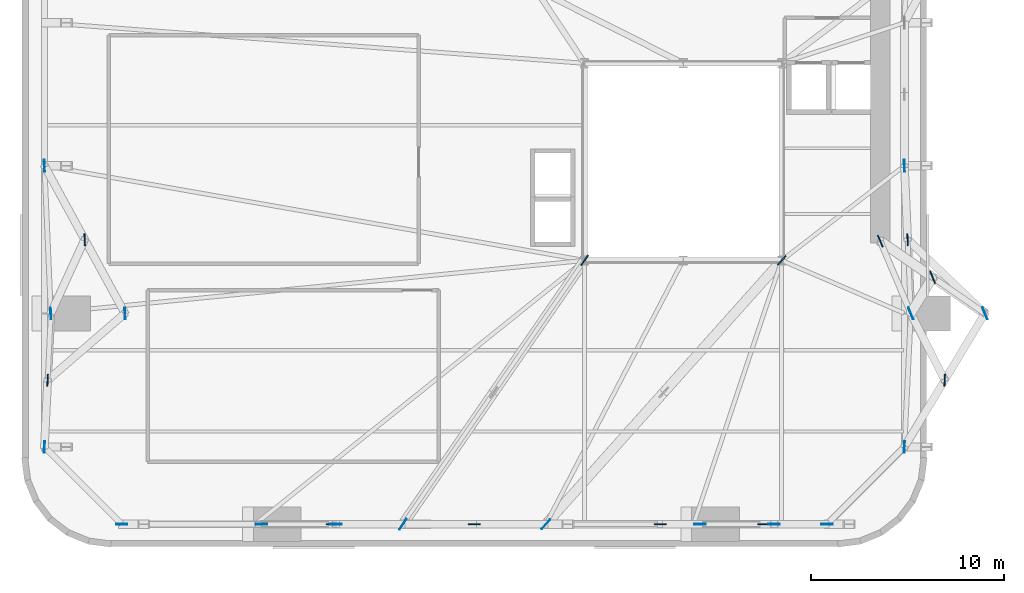
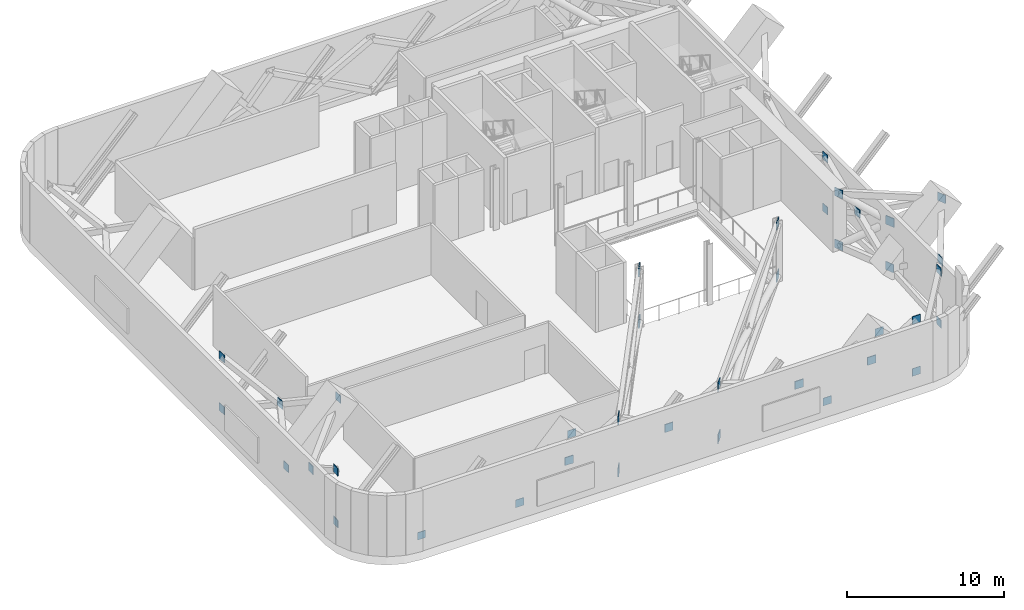
# One storey, part 5 of 12: 38 plates.
"""IFC4 building model written with IfcOpenShell, lengths in metres."""

from ifc_helpers import new_model, si_unit, direction, frame, origin, origin_2d, place, context, subcontext, project, spatial, rectangle, extrude, source, transform, mapped, material, layer, layer_set, type_object, element, save


model = new_model("IFC4")

# Units and contexts
model_context = context("Model", 3, precision=1e-05, world=origin(), true_north=direction((0.0, 1.0)))
body_context = subcontext(model_context, "Body", "Model", "MODEL_VIEW")
ifc_project = project(units=[si_unit("LENGTHUNIT", "METRE"), si_unit("AREAUNIT", "SQUARE_METRE"), si_unit("VOLUMEUNIT", "CUBIC_METRE"), si_unit("PLANEANGLEUNIT", "RADIAN"), si_unit("MASSUNIT", "GRAM", prefix="KILO")], contexts=[model_context])

# Site, building, storey
site_placement = place(None, origin())
site = spatial("IfcSite", under=ifc_project, at=site_placement, CompositionType="ELEMENT")
building_placement = place(site_placement, origin())
building = spatial("IfcBuilding", under=site, at=building_placement, Name="Vardaveli Station Tower", CompositionType="ELEMENT")
storey_placement = place(building_placement, frame((0.0, 0.0, 93.300048828125)))
storey = spatial("IfcBuildingStorey", under=building, at=storey_placement, Name="L24", CompositionType="ELEMENT", Elevation=93.300048828125)

# Plates
ifc_material = material(Name="Structural steel S460M", Category="steel")
ifc_layer_1 = layer(ifc_material, 0.06005859375, Name="Structural steel S460M")
ifc_layer_set_1 = layer_set([ifc_layer_1], Name="Structural steel S460M")
plate_type_1 = type_object("IfcPlateType", Name="PLT-GUSSET-60", PredefinedType="USERDEFINED", material=ifc_layer_set_1)
shared_shape_1 = source(origin(), body_context, "Body", "SweptSolid", [
    extrude(rectangle(XDim=0.679931640625, YDim=0.06005859375, at=origin_2d()), origin(), (0.0, 0.0, 1.0), 0.679931640625),
])
plate_1_placement = place(storey_placement, frame((49.209228515625, 15.72998046875, 2.03515625), z_axis=(0.0, 0.0, 1.0), x_axis=(0.389445480794, -0.921049519564, 0.0)))
element("IfcPlate", 1, at=plate_1_placement, inside=storey, type_object=plate_type_1, Name="PLT-L24-OA3-X", ObjectType="GUSSET PLATE", PredefinedType="USERDEFINED", context=body_context, shape_type="MappedRepresentation", body=[
    mapped(shared_shape_1, transform((0.0, 0.0, 0.0), scale=1.0)),
])
shared_shape_2 = source(origin(), body_context, "Body", "SweptSolid", [
    extrude(rectangle(XDim=0.64990234375, YDim=0.06005859375, at=origin_2d()), origin(), (0.0, 0.0, 1.0), 0.64990234375),
])
for number, where, z_axis, x_axis, name in (
    (2, (31.199951171875, 16.60009765625, 0.02490234375), (0.0, 0.0, 1.0), (-0.567125206934, -0.823631592194, 0.0), "PLT-L24-OA1-CB"),
    (3, (31.199951171875, 16.60009765625, 4.074951171875), (0.0, 0.0, 1.0), (-0.567125206934, -0.823631592194, 0.0), "PLT-L24-OA1-CT"),
    (4, (41.39990234375, 16.60009765625, 0.02490234375), (0.0, 0.0, 1.0), (-0.666402349991, -0.74559232019, 0.0), "PLT-L24-OA2-CB"),
    (5, (41.39990234375, 16.60009765625, 4.074951171875), (0.0, 0.0, 1.0), (-0.666402349991, -0.74559232019, 0.0), "PLT-L24-OA2-CT"),
    (6, (46.5, 17.60009765625, 0.02490234375), (0.0, 0.0, 1.0), (0.389445480794, -0.921049519564, 0.0), "PLT-L24-OA3-CB"),
    (7, (46.5, 17.60009765625, 4.074951171875), (0.0, 0.0, 1.0), (0.389445480794, -0.921049519564, 0.0), "PLT-L24-OA3-CT"),
):
    element("IfcPlate", number, at=place(storey_placement, frame(where, z_axis=z_axis, x_axis=x_axis)), inside=storey, type_object=plate_type_1, Name=name, ObjectType="GUSSET PLATE", PredefinedType="USERDEFINED", context=body_context, shape_type="MappedRepresentation", body=[
        mapped(shared_shape_2, transform((0.0, 0.0, 0.0), scale=1.0)),
    ])
ifc_layer_2 = layer(ifc_material, 0.0400390625, Name="Structural steel S460M")
ifc_layer_set_2 = layer_set([ifc_layer_2], Name="Structural steel S460M")
plate_type_2 = type_object("IfcPlateType", Name="PLT-CAP-40", PredefinedType="USERDEFINED", material=ifc_layer_set_2)
shared_shape_3 = source(origin(), body_context, "Body", "SweptSolid", [
    extrude(rectangle(XDim=0.64990234375, YDim=0.0400390625, at=origin_2d()), origin(), (0.0, 0.0, 1.0), 0.64990234375),
])
for number, where, z_axis, x_axis, name in (
    (8, (21.800048828125, 2.949951171875, 0.02490234375), (0.0, 0.0, 1.0), (-0.567125206934, -0.823631592194, 0.0), "PLT-L24-OA1-MB"),
    (9, (21.800048828125, 2.949951171875, 4.074951171875), (0.0, 0.0, 1.0), (-0.567125206934, -0.823631592194, 0.0), "PLT-L24-OA1-MT"),
    (10, (29.199951171875, 2.949951171875, 0.02490234375), (0.0, 0.0, 1.0), (-0.666402349991, -0.74559232019, 0.0), "PLT-L24-OA2-MB"),
    (11, (29.199951171875, 2.949951171875, 4.074951171875), (0.0, 0.0, 1.0), (-0.666402349991, -0.74559232019, 0.0), "PLT-L24-OA2-MT"),
    (12, (48.08154296875, 13.860107421875, 0.02490234375), (0.0, 0.0, 1.0), (0.389445480794, -0.921049519564, 0.0), "PLT-L24-OA3-MB"),
    (13, (51.91845703125, 13.860107421875, 4.074951171875), (0.0, 0.0, 1.0), (0.389445480794, -0.921049519564, 0.0), "PLT-L24-OA3-MT"),
):
    element("IfcPlate", number, at=place(storey_placement, frame(where, z_axis=z_axis, x_axis=x_axis)), inside=storey, type_object=plate_type_2, Name=name, ObjectType="GUSSET PLATE", PredefinedType="USERDEFINED", context=body_context, shape_type="MappedRepresentation", body=[
        mapped(shared_shape_3, transform((0.0, 0.0, 0.0), scale=1.0)),
    ])
shared_shape_4 = source(origin(), body_context, "Body", "SweptSolid", [
    extrude(rectangle(XDim=0.6201171875, YDim=0.06005859375, at=origin_2d()), origin(), (0.0, 0.0, 1.0), 0.6201171875),
])
for number, where, z_axis, x_axis, name in (
    (14, (18.145751953125, 2.949951171875, 2.06494140625), (0.0, 0.0, 1.0), (1.0, 0.0, 0.0), "PLT-L24-BLTX-01"),
    (15, (25.5, 2.949951171875, 2.06494140625), (0.0, 0.0, 1.0), (1.0, 0.0, 0.0), "PLT-L24-BLTX-02"),
    (16, (35.104248046875, 2.949951171875, 2.06494140625), (0.0, 0.0, 1.0), (1.0, 0.0, 0.0), "PLT-L24-BLTX-03"),
    (17, (40.460693359375, 2.949951171875, 2.06494140625), (0.0, 0.0, 1.0), (1.0, 0.0, 0.0), "PLT-L24-BLTX-04"),
    (18, (49.834228515625, 10.405029296875, 2.06494140625), (0.0, 0.0, 1.0), (0.047978128521, 0.998848386485, 0.0), "PLT-L24-BLTX-05"),
    (19, (47.915771484375, 17.679931640625, 2.06494140625), (0.0, 0.0, 1.0), (-0.043445019893, 0.999055819385, 0.0), "PLT-L24-BLTX-06"),
    (20, (5.334228515625, 17.679931640625, 2.06494140625), (0.0, 0.0, 1.0), (0.043445019893, -0.999055819385, 0.0), "PLT-L24-BLTX-14"),
    (21, (3.415771484375, 10.405029296875, 2.06494140625), (0.0, 0.0, 1.0), (-0.047978128521, -0.998848386485, 0.0), "PLT-L24-BLTX-15"),
):
    element("IfcPlate", number, at=place(storey_placement, frame(where, z_axis=z_axis, x_axis=x_axis)), inside=storey, type_object=plate_type_1, Name=name, ObjectType="GUSSET PLATE", PredefinedType="USERDEFINED", context=body_context, shape_type="MappedRepresentation", body=[
        mapped(shared_shape_4, transform((0.0, 0.0, 0.0), scale=1.0)),
    ])
shared_shape_5 = source(origin(), body_context, "Body", "SweptSolid", [
    extrude(rectangle(XDim=0.60009765625, YDim=0.0400390625, at=origin_2d()), origin(), (0.0, 0.0, 1.0), 0.60009765625),
])
for number, where, z_axis, x_axis, name in (
    (22, (14.49169921875, 2.949951171875, 0.0498046875), (0.0, 0.0, 1.0), (1.0, 0.0, 0.0), "PLT-L24-BLTAB-01"),
    (23, (18.328369140625, 2.949951171875, 4.099853515625), (0.0, 0.0, 1.0), (1.0, 0.0, 0.0), "PLT-L24-BLTAT-01"),
    (24, (37.171630859375, 2.949951171875, 0.0498046875), (0.0, 0.0, 1.0), (1.0, 0.0, 0.0), "PLT-L24-BLTBB-03"),
    (25, (41.00830078125, 2.949951171875, 4.099853515625), (0.0, 0.0, 1.0), (1.0, 0.0, 0.0), "PLT-L24-BLTBT-03"),
    (26, (43.75, 2.949951171875, 0.0498046875), (0.0, 0.0, 1.0), (1.0, 0.0, 0.0), "PLT-L24-BLTBB-04"),
    (27, (43.75, 2.949951171875, 4.099853515625), (0.0, 0.0, 1.0), (1.0, 0.0, 0.0), "PLT-L24-BLTBT-04"),
    (28, (47.75, 6.949951171875, 0.0498046875), (0.0, 0.0, 1.0), (0.047978128521, 0.998848386485, 0.0), "PLT-L24-BLTAB-05"),
    (29, (47.75, 6.949951171875, 4.099853515625), (0.0, 0.0, 1.0), (0.047978128521, 0.998848386485, 0.0), "PLT-L24-BLTAT-05"),
    (30, (47.75, 21.5, 0.0498046875), (0.0, 0.0, 1.0), (-0.043445019893, 0.999055819385, 0.0), "PLT-L24-BLTBB-06"),
    (31, (47.75, 21.5, 4.099853515625), (0.0, 0.0, 1.0), (-0.043445019893, 0.999055819385, 0.0), "PLT-L24-BLTBT-06"),
    (32, (3.25, 21.5, 0.0498046875), (0.0, 0.0, 1.0), (0.043445019893, -0.999055819385, 0.0), "PLT-L24-BLTAB-14"),
    (33, (3.58154296875, 13.860107421875, 0.0498046875), (0.0, 0.0, 1.0), (0.043445019893, -0.999055819385, 0.0), "PLT-L24-BLTBB-14"),
    (34, (3.25, 21.5, 4.099853515625), (0.0, 0.0, 1.0), (0.043445019893, -0.999055819385, 0.0), "PLT-L24-BLTAT-14"),
    (35, (7.41845703125, 13.860107421875, 4.099853515625), (0.0, 0.0, 1.0), (0.043445019893, -0.999055819385, 0.0), "PLT-L24-BLTBT-14"),
    (36, (3.25, 6.949951171875, 0.0498046875), (0.0, 0.0, 1.0), (-0.047978128521, -0.998848386485, 0.0), "PLT-L24-BLTBB-15"),
    (37, (3.25, 6.949951171875, 4.099853515625), (0.0, 0.0, 1.0), (-0.047978128521, -0.998848386485, 0.0), "PLT-L24-BLTBT-15"),
):
    element("IfcPlate", number, at=place(storey_placement, frame(where, z_axis=z_axis, x_axis=x_axis)), inside=storey, type_object=plate_type_2, Name=name, ObjectType="GUSSET PLATE", PredefinedType="USERDEFINED", context=body_context, shape_type="MappedRepresentation", body=[
        mapped(shared_shape_5, transform((0.0, 0.0, 0.0), scale=1.0)),
    ])
shared_shape_6 = source(origin(), body_context, "Body", "SweptSolid", [
    extrude(rectangle(XDim=0.580078125, YDim=0.0400390625, at=origin_2d()), origin(), (0.0, 0.0, 1.0), 0.580078125),
])
plate_2_placement = place(storey_placement, frame((7.25, 2.949951171875, 0.059814453125), z_axis=(0.0, 0.0, 1.0), x_axis=(1.0, 0.0, 0.0)))
element("IfcPlate", 38, at=plate_2_placement, inside=storey, type_object=plate_type_2, Name="PLT-L24-STRB-1", ObjectType="GUSSET PLATE", PredefinedType="USERDEFINED", context=body_context, shape_type="MappedRepresentation", body=[
    mapped(shared_shape_6, transform((0.0, 0.0, 0.0), scale=1.0)),
])

save(model, "model.ifc")
